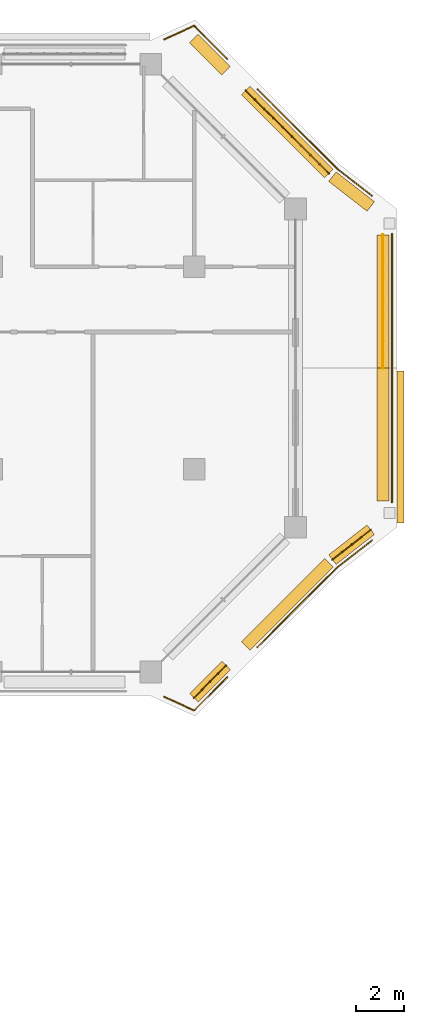
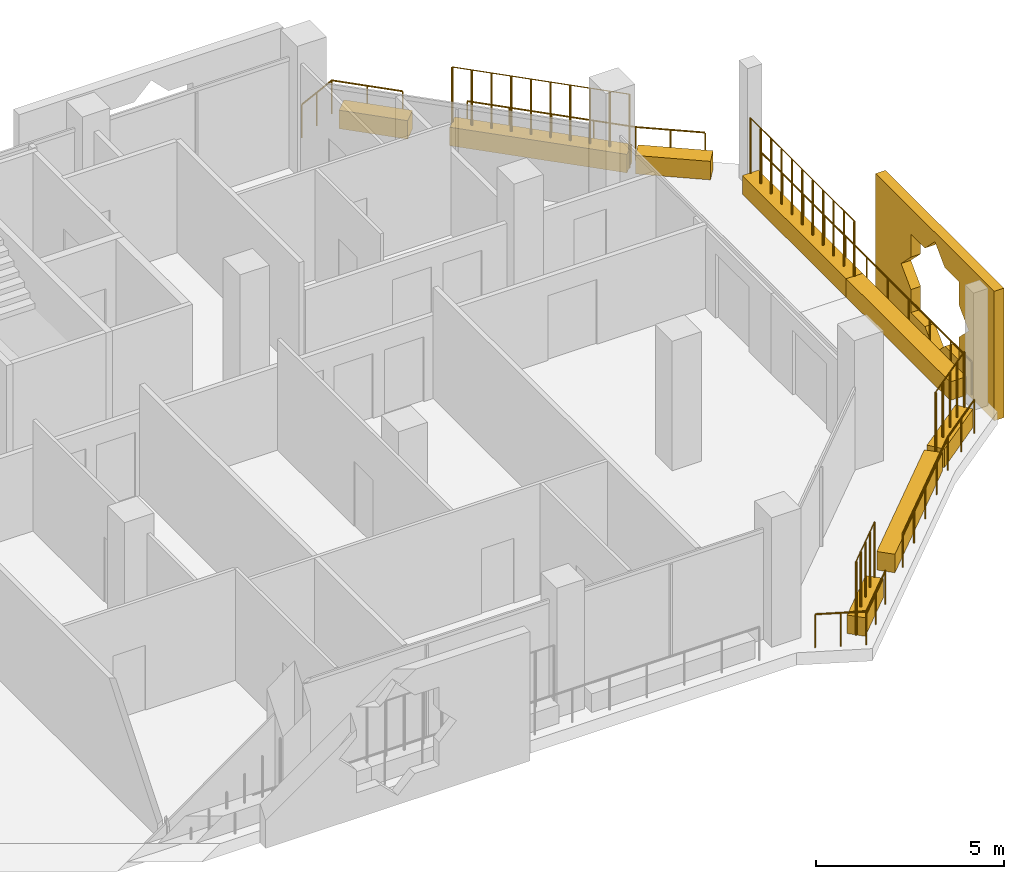
# One storey, part 20 of 20: 9 coverings, 9 railings.
"""IFC4 building model written with IfcOpenShell, lengths in metres."""

from ifc_helpers import new_model, si_unit, direction, frame, origin, origin_2d, place, context, subcontext, project, spatial, polyline, rectangle, circle, outline, extrude, material, material_profile, profile_set, type_object, element, save


model = new_model("IFC4")

# Units and contexts
model_context = context("Model", 3, precision=1e-05, world=origin(), true_north=direction((0.0, 1.0)))
body_context = subcontext(model_context, "Body", "Model", "MODEL_VIEW")
ifc_project = project(units=[si_unit("LENGTHUNIT", "METRE"), si_unit("AREAUNIT", "SQUARE_METRE"), si_unit("VOLUMEUNIT", "CUBIC_METRE"), si_unit("PLANEANGLEUNIT", "RADIAN"), si_unit("MASSUNIT", "GRAM", prefix="KILO")], contexts=[model_context])

# Site, building, storey
site_placement = place(None, origin())
site = spatial("IfcSite", under=ifc_project, at=site_placement, CompositionType="ELEMENT")
building_placement = place(site_placement, origin())
building = spatial("IfcBuilding", under=site, at=building_placement, Name="Kawkab Arch Medical Tower", CompositionType="ELEMENT")
storey_placement = place(building_placement, frame((0.0, 0.0, 239.0)))
storey = spatial("IfcBuildingStorey", under=building, at=storey_placement, Name="L55", CompositionType="ELEMENT", Elevation=239.0)

# Railings
ifc_material_1 = material(Name="Bronze anodised aluminium guard", Category="aluminium")
railing_type_1 = type_object("IfcRailingType", Name="Loggia and terrace guard 1100", PredefinedType="GUARDRAIL", material=ifc_material_1)
railing_1_placement = place(storey_placement, frame((57.548095703125, 1.030029296875, 0.0)))
element("IfcRailing", 1, at=railing_1_placement, inside=storey, type_object=railing_type_1, Name="Guard L55.LOG-01.1.2", PredefinedType="GUARDRAIL", context=body_context, shape_type="SweptSolid", body=[
    extrude(circle(Radius=0.02392578125, at=origin_2d()), frame((0.0, 0.0, 1.076171875), z_axis=(0.910054984483, 0.414487545312, 0.0), x_axis=(-0.414487545312, 0.910054984483, 0.0)), (0.0, 0.0, 1.0), 1.3701171875),
    extrude(circle(Radius=0.02392578125, at=origin_2d()), frame((1.246826171875, 0.56787109375, 1.076171875), z_axis=(0.707106781187, -0.707106781187, 0.0), x_axis=(0.707106781187, 0.707106781187, 0.0)), (0.0, 0.0, 1.0), 1.944580078125),
    extrude(circle(Radius=0.02099609375, at=origin_2d()), origin(), (0.0, 0.0, 1.0), 1.052001953125),
    extrude(circle(Radius=0.02099609375, at=origin_2d()), frame((0.62353515625, 0.283935546875, 0.0)), (0.0, 0.0, 1.0), 1.052001953125),
    extrude(circle(Radius=0.02099609375, at=origin_2d()), frame((1.246826171875, 0.56787109375, 0.0)), (0.0, 0.0, 1.0), 1.052001953125),
    extrude(circle(Radius=0.02099609375, at=origin_2d()), frame((1.934326171875, -0.11962890625, 0.0)), (0.0, 0.0, 1.0), 1.052001953125),
    extrude(circle(Radius=0.02099609375, at=origin_2d()), frame((2.621826171875, -0.80712890625, 0.0)), (0.0, 0.0, 1.0), 1.052001953125),
])
railing_2_placement = place(storey_placement, frame((61.423095703125, -1.030029296875, 0.0)))
element("IfcRailing", 2, at=railing_2_placement, inside=storey, type_object=railing_type_1, Name="Guard L55.LOG-01.1.3", PredefinedType="GUARDRAIL", context=body_context, shape_type="SweptSolid", body=[
    extrude(circle(Radius=0.02392578125, at=origin_2d()), frame((0.0, 0.0, 1.076171875), z_axis=(0.707106781187, -0.707106781187, 0.0), x_axis=(0.707106781187, 0.707106781187, 0.0)), (0.0, 0.0, 1.0), 4.641357421875),
    extrude(circle(Radius=0.02392578125, at=origin_2d()), frame((3.281982421875, -3.281982421875, 1.076171875), z_axis=(0.789203459714, -0.614131825568, 0.0), x_axis=(0.614131825568, 0.789203459714, 0.0)), (0.0, 0.0, 1.0), 1.856201171875),
    extrude(circle(Radius=0.02099609375, at=origin_2d()), origin(), (0.0, 0.0, 1.0), 1.052001953125),
    extrude(circle(Radius=0.02099609375, at=origin_2d()), frame((0.820556640625, -0.820556640625, 0.0)), (0.0, 0.0, 1.0), 1.052001953125),
    extrude(circle(Radius=0.02099609375, at=origin_2d()), frame((1.64111328125, -1.64111328125, 0.0)), (0.0, 0.0, 1.0), 1.052001953125),
    extrude(circle(Radius=0.02099609375, at=origin_2d()), frame((2.46142578125, -2.46142578125, 0.0)), (0.0, 0.0, 1.0), 1.052001953125),
    extrude(circle(Radius=0.02099609375, at=origin_2d()), frame((3.281982421875, -3.281982421875, 0.0)), (0.0, 0.0, 1.0), 1.052001953125),
    extrude(circle(Radius=0.02099609375, at=origin_2d()), frame((4.014404296875, -3.85205078125, 0.0)), (0.0, 0.0, 1.0), 1.052001953125),
    extrude(circle(Radius=0.02099609375, at=origin_2d()), frame((4.746826171875, -4.421875, 0.0)), (0.0, 0.0, 1.0), 1.052001953125),
])
railing_3_placement = place(storey_placement, frame((67.0, -7.030029296875, 0.0)))
element("IfcRailing", 3, at=railing_3_placement, inside=storey, type_object=railing_type_1, Name="Guard L55.LOG-01.1.4", PredefinedType="GUARDRAIL", context=body_context, shape_type="SweptSolid", body=[
    extrude(circle(Radius=0.02392578125, at=origin_2d()), frame((0.0, 0.0, 1.076171875), z_axis=(0.0, -1.0, 0.0), x_axis=(1.0, 0.0, 0.0)), (0.0, 0.0, 1.0), 11.139892578125),
    extrude(circle(Radius=0.02099609375, at=origin_2d()), origin(), (0.0, 0.0, 1.0), 1.052001953125),
    extrude(circle(Radius=0.02099609375, at=origin_2d()), frame((0.0, -1.114013671875, 0.0)), (0.0, 0.0, 1.0), 1.052001953125),
    extrude(circle(Radius=0.02099609375, at=origin_2d()), frame((0.0, -2.22802734375, 0.0)), (0.0, 0.0, 1.0), 1.052001953125),
    extrude(circle(Radius=0.02099609375, at=origin_2d()), frame((0.0, -3.342041015625, 0.0)), (0.0, 0.0, 1.0), 1.052001953125),
    extrude(circle(Radius=0.02099609375, at=origin_2d()), frame((0.0, -4.4560546875, 0.0)), (0.0, 0.0, 1.0), 1.052001953125),
    extrude(circle(Radius=0.02099609375, at=origin_2d()), frame((0.0, -5.56982421875, 0.0)), (0.0, 0.0, 1.0), 1.052001953125),
    extrude(circle(Radius=0.02099609375, at=origin_2d()), frame((0.0, -6.683837890625, 0.0)), (0.0, 0.0, 1.0), 1.052001953125),
    extrude(circle(Radius=0.02099609375, at=origin_2d()), frame((0.0, -7.7978515625, 0.0)), (0.0, 0.0, 1.0), 1.052001953125),
    extrude(circle(Radius=0.02099609375, at=origin_2d()), frame((0.0, -8.911865234375, 0.0)), (0.0, 0.0, 1.0), 1.052001953125),
    extrude(circle(Radius=0.02099609375, at=origin_2d()), frame((0.0, -10.02587890625, 0.0)), (0.0, 0.0, 1.0), 1.052001953125),
    extrude(circle(Radius=0.02099609375, at=origin_2d()), frame((0.0, -11.139892578125, 0.0)), (0.0, 0.0, 1.0), 1.052001953125),
])
railing_4_placement = place(storey_placement, frame((66.169921875, -19.748046875, 0.0)))
element("IfcRailing", 4, at=railing_4_placement, inside=storey, type_object=railing_type_1, Name="Guard L55.LOG-01.1.5", PredefinedType="GUARDRAIL", context=body_context, shape_type="SweptSolid", body=[
    extrude(circle(Radius=0.02392578125, at=origin_2d()), frame((0.0, 0.0, 1.076171875), z_axis=(-0.789203459714, -0.614131825568, 0.0), x_axis=(0.614131825568, -0.789203459714, 0.0)), (0.0, 0.0, 1.0), 1.856201171875),
    extrude(circle(Radius=0.02392578125, at=origin_2d()), frame((-1.46484375, -1.139892578125, 1.076171875), z_axis=(-0.707106781187, -0.707106781187, 0.0), x_axis=(0.707106781187, -0.707106781187, 0.0)), (0.0, 0.0, 1.0), 4.641357421875),
    extrude(circle(Radius=0.02099609375, at=origin_2d()), origin(), (0.0, 0.0, 1.0), 1.052001953125),
    extrude(circle(Radius=0.02099609375, at=origin_2d()), frame((-0.732421875, -0.56982421875, 0.0)), (0.0, 0.0, 1.0), 1.052001953125),
    extrude(circle(Radius=0.02099609375, at=origin_2d()), frame((-1.46484375, -1.139892578125, 0.0)), (0.0, 0.0, 1.0), 1.052001953125),
    extrude(circle(Radius=0.02099609375, at=origin_2d()), frame((-2.285400390625, -1.96044921875, 0.0)), (0.0, 0.0, 1.0), 1.052001953125),
    extrude(circle(Radius=0.02099609375, at=origin_2d()), frame((-3.10595703125, -2.78076171875, 0.0)), (0.0, 0.0, 1.0), 1.052001953125),
    extrude(circle(Radius=0.02099609375, at=origin_2d()), frame((-3.92626953125, -3.601318359375, 0.0)), (0.0, 0.0, 1.0), 1.052001953125),
    extrude(circle(Radius=0.02099609375, at=origin_2d()), frame((-4.746826171875, -4.421875, 0.0)), (0.0, 0.0, 1.0), 1.052001953125),
])
railing_5_placement = place(storey_placement, frame((60.169921875, -25.423095703125, 0.0)))
element("IfcRailing", 5, at=railing_5_placement, inside=storey, type_object=railing_type_1, Name="Guard L55.LOG-01.1.6", PredefinedType="GUARDRAIL", context=body_context, shape_type="SweptSolid", body=[
    extrude(circle(Radius=0.02392578125, at=origin_2d()), frame((0.0, 0.0, 1.076171875), z_axis=(-0.707106781187, -0.707106781187, 0.0), x_axis=(0.707106781187, -0.707106781187, 0.0)), (0.0, 0.0, 1.0), 1.944580078125),
    extrude(circle(Radius=0.02392578125, at=origin_2d()), frame((-1.375, -1.375, 1.076171875), z_axis=(-0.909987760209, 0.4146351122, 0.0), x_axis=(-0.4146351122, -0.909987760209, 0.0)), (0.0, 0.0, 1.0), 1.3701171875),
    extrude(circle(Radius=0.02099609375, at=origin_2d()), origin(), (0.0, 0.0, 1.0), 1.052001953125),
    extrude(circle(Radius=0.02099609375, at=origin_2d()), frame((-0.6875, -0.6875, 0.0)), (0.0, 0.0, 1.0), 1.052001953125),
    extrude(circle(Radius=0.02099609375, at=origin_2d()), frame((-1.375, -1.375, 0.0)), (0.0, 0.0, 1.0), 1.052001953125),
    extrude(circle(Radius=0.02099609375, at=origin_2d()), frame((-1.99853515625, -1.0908203125, 0.0)), (0.0, 0.0, 1.0), 1.052001953125),
    extrude(circle(Radius=0.02099609375, at=origin_2d()), frame((-2.621826171875, -0.806884765625, 0.0)), (0.0, 0.0, 1.0), 1.052001953125),
])

# Coverings
ifc_material_2 = material(Name="Bronze anodised aluminium mashrabiya panel, eight-point star pattern", Category="aluminium")
ifc_material_profile_1 = material_profile(ifc_material_2, outline(polyline([(-3.14990234375, -2.10009765625), (3.14990234375, -2.10009765625), (3.14990234375, 2.10009765625), (-3.14990234375, 2.10009765625), (-3.14990234375, -2.10009765625)]), holes=[polyline([(1.800048828125, 0.0), (1.272705078125, 0.527099609375), (1.272705078125, 1.272705078125), (0.527099609375, 1.272705078125), (0.0, 1.800048828125), (-0.527099609375, 1.272705078125), (-1.272705078125, 1.272705078125), (-1.272705078125, 0.527099609375), (-1.800048828125, 0.0), (-1.272705078125, -0.527099609375), (-1.272705078125, -1.272705078125), (-0.527099609375, -1.272705078125), (0.0, -1.800048828125), (0.527099609375, -1.272705078125), (1.272705078125, -1.272705078125), (1.272705078125, -0.527099609375), (1.800048828125, 0.0)])]), Name="Mashrabiya panel 6300x4200")
ifc_profile_set_1 = profile_set([ifc_material_profile_1], Name="Bronze anodised aluminium mashrabiya panel, eight-point star pattern")
covering_type_1 = type_object("IfcCoveringType", Name="Mashrabiya panel 6300 x 4200", PredefinedType="USERDEFINED", material=ifc_profile_set_1)
covering_1_placement = place(storey_placement, frame((67.199951171875, -15.877685546875, 1.699951171875), z_axis=(1.0, 0.0, 0.0), x_axis=(0.0, 1.0, 0.0)))
element("IfcCovering", 6, at=covering_1_placement, inside=storey, type_object=covering_type_1, Name="Mashrabiya panel L55.LOG-01-01.9", ObjectType="SCREEN", PredefinedType="USERDEFINED", context=body_context, shape_type="SweptSolid", body=[
    extrude(outline(polyline([(-3.14990234375, -2.10009765625), (3.14990234375, -2.10009765625), (3.14990234375, 2.10009765625), (-3.14990234375, 2.10009765625), (-3.14990234375, -2.10009765625)]), holes=[polyline([(1.800048828125, 0.0), (1.272705078125, 0.527099609375), (1.272705078125, 1.272705078125), (0.527099609375, 1.272705078125), (0.0, 1.800048828125), (-0.527099609375, 1.272705078125), (-1.272705078125, 1.272705078125), (-1.272705078125, 0.527099609375), (-1.800048828125, 0.0), (-1.272705078125, -0.527099609375), (-1.272705078125, -1.272705078125), (-0.527099609375, -1.272705078125), (0.0, -1.800048828125), (0.527099609375, -1.272705078125), (1.272705078125, -1.272705078125), (1.272705078125, -0.527099609375), (1.800048828125, 0.0)])]), origin(), (0.0, 0.0, 1.0), 0.300048828125),
])
ifc_material_3 = material(Name="Planting soil in a precast trough", Category="concrete")
ifc_material_profile_2 = material_profile(ifc_material_3, rectangle(XDim=0.5, YDim=0.60009765625, at=origin_2d()), Name="Trough 500x600")
ifc_profile_set_2 = profile_set([ifc_material_profile_2], Name="Planting soil in a precast trough")
covering_type_2 = type_object("IfcCoveringType", Name="Planter trough 500 x 600", PredefinedType="USERDEFINED", material=ifc_profile_set_2)
covering_2_placement = place(storey_placement, frame((58.782958984375, 1.072998046875, 0.300048828125), z_axis=(0.707171336514, -0.707042219965, 0.0), x_axis=(0.707042219965, 0.707171336514, 0.0)))
element("IfcCovering", 7, at=covering_2_placement, inside=storey, type_object=covering_type_2, Name="Planter L55.LOG-01-01.24", ObjectType="PLANTER", PredefinedType="USERDEFINED", context=body_context, shape_type="SweptSolid", body=[
    extrude(rectangle(XDim=0.5, YDim=0.60009765625, at=origin_2d()), origin(), (0.0, 0.0, 1.0), 1.890869140625),
])
covering_3_placement = place(storey_placement, frame((60.93603515625, -1.080078125, 0.300048828125), z_axis=(0.707106781187, -0.707106781187, 0.0), x_axis=(0.707106781187, 0.707106781187, 0.0)))
element("IfcCovering", 8, at=covering_3_placement, inside=storey, type_object=covering_type_2, Name="Planter L55.LOG-01-01.25", ObjectType="PLANTER", PredefinedType="USERDEFINED", context=body_context, shape_type="SweptSolid", body=[
    extrude(rectangle(XDim=0.5, YDim=0.60009765625, at=origin_2d()), origin(), (0.0, 0.0, 1.0), 4.874755859375),
])
covering_4_placement = place(storey_placement, frame((64.531982421875, -4.658935546875, 0.300048828125), z_axis=(0.789143139444, -0.61420933359, 0.0), x_axis=(0.61420933359, 0.789143139444, 0.0)))
element("IfcCovering", 9, at=covering_4_placement, inside=storey, type_object=covering_type_2, Name="Planter L55.LOG-01-01.26", ObjectType="PLANTER", PredefinedType="USERDEFINED", context=body_context, shape_type="SweptSolid", body=[
    extrude(rectangle(XDim=0.5, YDim=0.60009765625, at=origin_2d()), origin(), (0.0, 0.0, 1.0), 2.012451171875),
])
for number, where, z_axis, x_axis, name in (
    (10, (66.6201171875, -7.080078125, 0.300048828125), (0.0, -1.0, 0.0), (1.0, 0.0, 0.0), "Planter L55.LOG-01-01.27"),
    (11, (66.6201171875, -12.60009765625, 0.300048828125), (0.0, -1.0, 0.0), (1.0, 0.0, 0.0), "Planter L55.LOG-01-01.28"),
):
    element("IfcCovering", number, at=place(storey_placement, frame(where, z_axis=z_axis, x_axis=x_axis)), inside=storey, type_object=covering_type_2, Name=name, ObjectType="PLANTER", PredefinedType="USERDEFINED", context=body_context, shape_type="SweptSolid", body=[
        extrude(rectangle(XDim=0.5, YDim=0.60009765625, at=origin_2d()), origin(), (0.0, 0.0, 1.0), 5.52001953125),
    ])
covering_5_placement = place(storey_placement, frame((66.1201171875, -19.304931640625, 0.300048828125), z_axis=(-0.789143139444, -0.61420933359, 0.0), x_axis=(0.61420933359, -0.789143139444, 0.0)))
element("IfcCovering", 12, at=covering_5_placement, inside=storey, type_object=covering_type_2, Name="Planter L55.LOG-01-01.29", ObjectType="PLANTER", PredefinedType="USERDEFINED", context=body_context, shape_type="SweptSolid", body=[
    extrude(rectangle(XDim=0.5, YDim=0.60009765625, at=origin_2d()), origin(), (0.0, 0.0, 1.0), 2.012451171875),
])
covering_6_placement = place(storey_placement, frame((64.383056640625, -20.673095703125, 0.300048828125), z_axis=(-0.707106781187, -0.707106781187, 0.0), x_axis=(0.707106781187, -0.707106781187, 0.0)))
element("IfcCovering", 13, at=covering_6_placement, inside=storey, type_object=covering_type_2, Name="Planter L55.LOG-01-01.30", ObjectType="PLANTER", PredefinedType="USERDEFINED", context=body_context, shape_type="SweptSolid", body=[
    extrude(rectangle(XDim=0.5, YDim=0.60009765625, at=origin_2d()), origin(), (0.0, 0.0, 1.0), 4.874755859375),
])
covering_7_placement = place(storey_placement, frame((60.1201171875, -24.93603515625, 0.300048828125), z_axis=(-0.707171336514, -0.707042219965, 0.0), x_axis=(0.707042219965, -0.707171336514, 0.0)))
element("IfcCovering", 14, at=covering_7_placement, inside=storey, type_object=covering_type_2, Name="Planter L55.LOG-01-01.31", ObjectType="PLANTER", PredefinedType="USERDEFINED", context=body_context, shape_type="SweptSolid", body=[
    extrude(rectangle(XDim=0.5, YDim=0.60009765625, at=origin_2d()), origin(), (0.0, 0.0, 1.0), 1.890869140625),
])

# Railings
ifc_material_4 = material(Name="Bronze anodised aluminium trellis for climbing plants", Category="aluminium")
railing_type_2 = type_object("IfcRailingType", Name="Planting trellis 2400", PredefinedType="USERDEFINED", material=ifc_material_4)
railing_6_placement = place(storey_placement, frame((60.93603515625, -1.080078125, 0.0)))
element("IfcRailing", 15, at=railing_6_placement, inside=storey, type_object=railing_type_2, Name="Planting trellis L55.LOG-01-01.25", ObjectType="TRELLIS", PredefinedType="USERDEFINED", context=body_context, shape_type="SweptSolid", body=[
    extrude(circle(Radius=0.01513671875, at=origin_2d()), frame((0.0, 0.0, 2.384765625), z_axis=(0.707106781187, -0.707106781187, 0.0), x_axis=(0.707106781187, 0.707106781187, 0.0)), (0.0, 0.0, 1.0), 4.874755859375),
    extrude(circle(Radius=0.030029296875, at=origin_2d()), origin(), (0.0, 0.0, 1.0), 2.369873046875),
    extrude(circle(Radius=0.030029296875, at=origin_2d()), frame((0.383056640625, -0.383056640625, 0.0)), (0.0, 0.0, 1.0), 2.369873046875),
    extrude(circle(Radius=0.030029296875, at=origin_2d()), frame((0.76611328125, -0.76611328125, 0.0)), (0.0, 0.0, 1.0), 2.369873046875),
    extrude(circle(Radius=0.030029296875, at=origin_2d()), frame((1.14892578125, -1.14892578125, 0.0)), (0.0, 0.0, 1.0), 2.369873046875),
    extrude(circle(Radius=0.030029296875, at=origin_2d()), frame((1.531982421875, -1.531982421875, 0.0)), (0.0, 0.0, 1.0), 2.369873046875),
    extrude(circle(Radius=0.030029296875, at=origin_2d()), frame((1.9150390625, -1.9150390625, 0.0)), (0.0, 0.0, 1.0), 2.369873046875),
    extrude(circle(Radius=0.030029296875, at=origin_2d()), frame((2.298095703125, -2.298095703125, 0.0)), (0.0, 0.0, 1.0), 2.369873046875),
    extrude(circle(Radius=0.030029296875, at=origin_2d()), frame((2.680908203125, -2.680908203125, 0.0)), (0.0, 0.0, 1.0), 2.369873046875),
    extrude(circle(Radius=0.030029296875, at=origin_2d()), frame((3.06396484375, -3.06396484375, 0.0)), (0.0, 0.0, 1.0), 2.369873046875),
    extrude(circle(Radius=0.030029296875, at=origin_2d()), frame((3.447021484375, -3.447021484375, 0.0)), (0.0, 0.0, 1.0), 2.369873046875),
])
railing_7_placement = place(storey_placement, frame((66.6201171875, -7.080078125, 0.0)))
element("IfcRailing", 16, at=railing_7_placement, inside=storey, type_object=railing_type_2, Name="Planting trellis L55.LOG-01-01.27", ObjectType="TRELLIS", PredefinedType="USERDEFINED", context=body_context, shape_type="SweptSolid", body=[
    extrude(circle(Radius=0.01513671875, at=origin_2d()), frame((0.0, 0.0, 2.384765625), z_axis=(0.0, -1.0, 0.0), x_axis=(1.0, 0.0, 0.0)), (0.0, 0.0, 1.0), 5.52001953125),
    extrude(circle(Radius=0.030029296875, at=origin_2d()), origin(), (0.0, 0.0, 1.0), 2.369873046875),
    extrude(circle(Radius=0.030029296875, at=origin_2d()), frame((0.0, -0.552001953125, 0.0)), (0.0, 0.0, 1.0), 2.369873046875),
    extrude(circle(Radius=0.030029296875, at=origin_2d()), frame((0.0, -1.10400390625, 0.0)), (0.0, 0.0, 1.0), 2.369873046875),
    extrude(circle(Radius=0.030029296875, at=origin_2d()), frame((0.0, -1.656005859375, 0.0)), (0.0, 0.0, 1.0), 2.369873046875),
    extrude(circle(Radius=0.030029296875, at=origin_2d()), frame((0.0, -2.2080078125, 0.0)), (0.0, 0.0, 1.0), 2.369873046875),
    extrude(circle(Radius=0.030029296875, at=origin_2d()), frame((0.0, -2.760009765625, 0.0)), (0.0, 0.0, 1.0), 2.369873046875),
    extrude(circle(Radius=0.030029296875, at=origin_2d()), frame((0.0, -3.31201171875, 0.0)), (0.0, 0.0, 1.0), 2.369873046875),
    extrude(circle(Radius=0.030029296875, at=origin_2d()), frame((0.0, -3.864013671875, 0.0)), (0.0, 0.0, 1.0), 2.369873046875),
    extrude(circle(Radius=0.030029296875, at=origin_2d()), frame((0.0, -4.416015625, 0.0)), (0.0, 0.0, 1.0), 2.369873046875),
    extrude(circle(Radius=0.030029296875, at=origin_2d()), frame((0.0, -4.968017578125, 0.0)), (0.0, 0.0, 1.0), 2.369873046875),
    extrude(circle(Radius=0.030029296875, at=origin_2d()), frame((0.0, -5.52001953125, 0.0)), (0.0, 0.0, 1.0), 2.369873046875),
])
railing_8_placement = place(storey_placement, frame((66.1201171875, -19.304931640625, 0.0)))
element("IfcRailing", 17, at=railing_8_placement, inside=storey, type_object=railing_type_2, Name="Planting trellis L55.LOG-01-01.29", ObjectType="TRELLIS", PredefinedType="USERDEFINED", context=body_context, shape_type="SweptSolid", body=[
    extrude(circle(Radius=0.01513671875, at=origin_2d()), frame((0.0, 0.0, 2.384765625), z_axis=(-0.789143139444, -0.61420933359, 0.0), x_axis=(0.61420933359, -0.789143139444, 0.0)), (0.0, 0.0, 1.0), 2.012451171875),
    extrude(circle(Radius=0.030029296875, at=origin_2d()), origin(), (0.0, 0.0, 1.0), 2.369873046875),
    extrude(circle(Radius=0.030029296875, at=origin_2d()), frame((-0.39697265625, -0.30908203125, 0.0)), (0.0, 0.0, 1.0), 2.369873046875),
    extrude(circle(Radius=0.030029296875, at=origin_2d()), frame((-0.7939453125, -0.6181640625, 0.0)), (0.0, 0.0, 1.0), 2.369873046875),
    extrude(circle(Radius=0.030029296875, at=origin_2d()), frame((-1.191162109375, -0.927001953125, 0.0)), (0.0, 0.0, 1.0), 2.369873046875),
    extrude(circle(Radius=0.030029296875, at=origin_2d()), frame((-1.588134765625, -1.236083984375, 0.0)), (0.0, 0.0, 1.0), 2.369873046875),
])
railing_9_placement = place(storey_placement, frame((60.1201171875, -24.93603515625, 0.0)))
element("IfcRailing", 18, at=railing_9_placement, inside=storey, type_object=railing_type_2, Name="Planting trellis L55.LOG-01-01.31", ObjectType="TRELLIS", PredefinedType="USERDEFINED", context=body_context, shape_type="SweptSolid", body=[
    extrude(circle(Radius=0.01513671875, at=origin_2d()), frame((0.0, 0.0, 2.384765625), z_axis=(-0.707171336514, -0.707042219965, 0.0), x_axis=(0.707042219965, -0.707171336514, 0.0)), (0.0, 0.0, 1.0), 1.890869140625),
    extrude(circle(Radius=0.030029296875, at=origin_2d()), origin(), (0.0, 0.0, 1.0), 2.369873046875),
    extrude(circle(Radius=0.030029296875, at=origin_2d()), frame((-0.334228515625, -0.334228515625, 0.0)), (0.0, 0.0, 1.0), 2.369873046875),
    extrude(circle(Radius=0.030029296875, at=origin_2d()), frame((-0.66845703125, -0.66845703125, 0.0)), (0.0, 0.0, 1.0), 2.369873046875),
    extrude(circle(Radius=0.030029296875, at=origin_2d()), frame((-1.0029296875, -1.002685546875, 0.0)), (0.0, 0.0, 1.0), 2.369873046875),
    extrude(circle(Radius=0.030029296875, at=origin_2d()), frame((-1.337158203125, -1.3369140625, 0.0)), (0.0, 0.0, 1.0), 2.369873046875),
])

save(model, "model.ifc")
